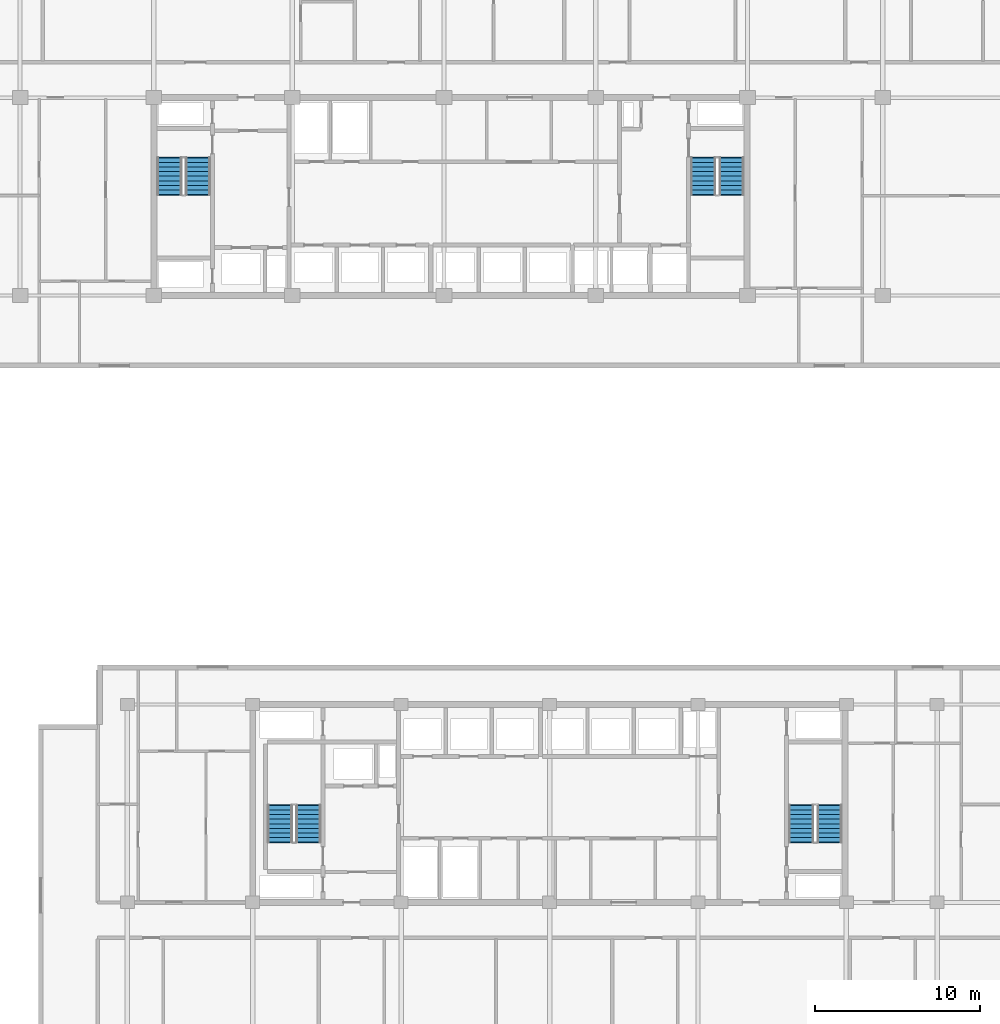
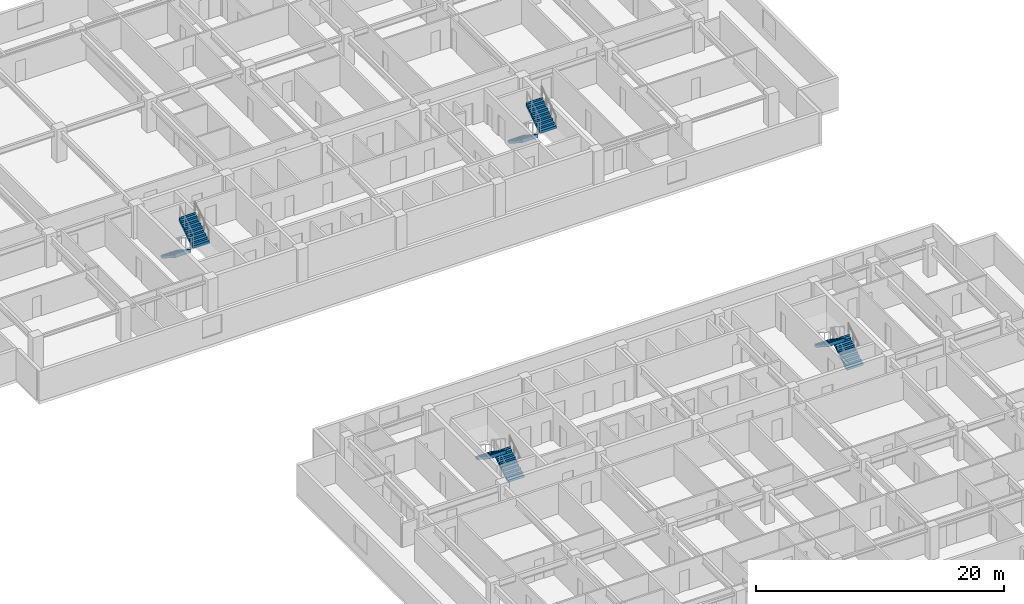
# One storey, part 17 of 22: 8 stair flights, 4 elements without a shape of their own.
"""IFC4 building model written with IfcOpenShell, lengths in metres."""

from ifc_helpers import new_model, si_unit, direction, frame, origin, place, context, subcontext, project, spatial, polyline, outline, extrude, material, type_object, element, aggregate, save


model = new_model("IFC4")

# Units and contexts
model_context = context("Model", 3, precision=1e-05, world=origin(), true_north=direction((0.0, 1.0)))
body_context = subcontext(model_context, "Body", "Model", "MODEL_VIEW")
ifc_project = project(units=[si_unit("LENGTHUNIT", "METRE"), si_unit("AREAUNIT", "SQUARE_METRE"), si_unit("VOLUMEUNIT", "CUBIC_METRE"), si_unit("PLANEANGLEUNIT", "RADIAN"), si_unit("MASSUNIT", "GRAM", prefix="KILO")], contexts=[model_context])

# Site, building, storey
site_placement = place(None, origin())
site = spatial("IfcSite", under=ifc_project, at=site_placement, CompositionType="ELEMENT")
building_placement = place(site_placement, origin())
building = spatial("IfcBuilding", under=site, at=building_placement, Name="Korimba Cascade Residences", CompositionType="ELEMENT")
storey_placement = place(building_placement, frame((0.0, 0.0, 87.300048828125)))
storey = spatial("IfcBuildingStorey", under=building, at=storey_placement, Name="L24", CompositionType="ELEMENT", Elevation=87.300048828125)

# Stair, stair flights
ifc_material = material(Name="Concrete C50/60", Category="concrete")
stair_type_1 = type_object("IfcStairType", Name="STR-W1-18R-1806", PredefinedType="HALF_TURN_STAIR", material=ifc_material)
stair_1_placement = place(storey_placement, origin())
stair_1 = element("IfcStair", 1, at=stair_1_placement, inside=storey, type_object=stair_type_1, Name="L24 Tower 1 West Fire Stair ST-W1", PredefinedType="HALF_TURN_STAIR")
stair_flight_type = type_object("IfcStairFlightType", Name="STF-DL-18R-1806-1520", PredefinedType="STRAIGHT", material=ifc_material)
stair_flight_1_placement = place(storey_placement, frame((77.06005859375, 63.550048828125, 0.0), z_axis=(0.0, 0.0, 1.0), x_axis=(0.0, -1.0, 0.0)))
stair_flight_1 = element("IfcStairFlight", 2, at=stair_flight_1_placement, type_object=stair_flight_type, Name="ST-W1 flight 1", NumberOfRisers=9, NumberOfTreads=8, PredefinedType="STRAIGHT", RiserHeight=0.180555556, TreadLength=0.28, context=body_context, shape_type="SweptSolid", body=[
    extrude(outline(polyline([(-0.0380859375, 0.0), (0.0, 0.1806640625), (0.280029296875, 0.1806640625), (0.280029296875, 0.361083984375), (0.56005859375, 0.361083984375), (0.56005859375, 0.541748046875), (0.840087890625, 0.541748046875), (0.840087890625, 0.72216796875), (1.1201171875, 0.72216796875), (1.1201171875, 0.90283203125), (1.39990234375, 0.90283203125), (1.39990234375, 1.083251953125), (1.679931640625, 1.083251953125), (1.679931640625, 1.263916015625), (1.9599609375, 1.263916015625), (1.9599609375, 1.4443359375), (2.239990234375, 1.4443359375), (2.239990234375, 1.625), (2.278076171875, 1.625), (2.278076171875, 1.26611328125), (0.276611328125, 0.0), (0.276611328125, -0.0380859375), (-0.0380859375, -0.0380859375), (-0.0380859375, 0.0)])), frame((0.0, 0.760009765625, 0.0), z_axis=(0.0, -1.0, 0.0), x_axis=(1.0, 0.0, 0.0)), (0.0, 0.0, 1.0), 1.52001953125),
])
stair_flight_2_placement = place(storey_placement, frame((78.780029296875, 61.31005859375, 1.625), z_axis=(0.0, 0.0, 1.0), x_axis=(0.0, 1.0, 0.0)))
stair_flight_2 = element("IfcStairFlight", 3, at=stair_flight_2_placement, type_object=stair_flight_type, Name="ST-W1 flight 2", NumberOfRisers=9, NumberOfTreads=8, PredefinedType="STRAIGHT", RiserHeight=0.180555556, TreadLength=0.28, context=body_context, shape_type="SweptSolid", body=[
    extrude(outline(polyline([(-0.0380859375, 0.0), (0.0, 0.1806640625), (0.280029296875, 0.1806640625), (0.280029296875, 0.361083984375), (0.56005859375, 0.361083984375), (0.56005859375, 0.541748046875), (0.840087890625, 0.541748046875), (0.840087890625, 0.72216796875), (1.1201171875, 0.72216796875), (1.1201171875, 0.90283203125), (1.39990234375, 0.90283203125), (1.39990234375, 1.083251953125), (1.679931640625, 1.083251953125), (1.679931640625, 1.263916015625), (1.9599609375, 1.263916015625), (1.9599609375, 1.4443359375), (2.239990234375, 1.4443359375), (2.239990234375, 1.625), (2.278076171875, 1.625), (2.278076171875, 1.26611328125), (0.276611328125, 0.0), (0.276611328125, -0.0380859375), (-0.0380859375, -0.0380859375), (-0.0380859375, 0.0)])), frame((0.0, 0.760009765625, 0.0), z_axis=(0.0, -1.0, 0.0), x_axis=(1.0, 0.0, 0.0)), (0.0, 0.0, 1.0), 1.52001953125),
])
aggregate(stair_1, [stair_flight_1, stair_flight_2])

stair_type_2 = type_object("IfcStairType", Name="STR-W2-18R-1806", PredefinedType="HALF_TURN_STAIR", material=ifc_material)
stair_2_placement = place(storey_placement, origin())
stair_2 = element("IfcStair", 4, at=stair_2_placement, inside=storey, type_object=stair_type_2, Name="L24 Tower 1 East Fire Stair ST-W2", PredefinedType="HALF_TURN_STAIR")
stair_flight_3_placement = place(storey_placement, frame((109.419921875, 63.550048828125, 0.0), z_axis=(0.0, 0.0, 1.0), x_axis=(0.0, -1.0, 0.0)))
stair_flight_3 = element("IfcStairFlight", 5, at=stair_flight_3_placement, type_object=stair_flight_type, Name="ST-W2 flight 1", NumberOfRisers=9, NumberOfTreads=8, PredefinedType="STRAIGHT", RiserHeight=0.180555556, TreadLength=0.28, context=body_context, shape_type="SweptSolid", body=[
    extrude(outline(polyline([(-0.0380859375, 0.0), (0.0, 0.1806640625), (0.280029296875, 0.1806640625), (0.280029296875, 0.361083984375), (0.56005859375, 0.361083984375), (0.56005859375, 0.541748046875), (0.840087890625, 0.541748046875), (0.840087890625, 0.72216796875), (1.1201171875, 0.72216796875), (1.1201171875, 0.90283203125), (1.39990234375, 0.90283203125), (1.39990234375, 1.083251953125), (1.679931640625, 1.083251953125), (1.679931640625, 1.263916015625), (1.9599609375, 1.263916015625), (1.9599609375, 1.4443359375), (2.239990234375, 1.4443359375), (2.239990234375, 1.625), (2.278076171875, 1.625), (2.278076171875, 1.26611328125), (0.276611328125, 0.0), (0.276611328125, -0.0380859375), (-0.0380859375, -0.0380859375), (-0.0380859375, 0.0)])), frame((0.0, 0.760009765625, 0.0), z_axis=(0.0, -1.0, 0.0), x_axis=(1.0, 0.0, 0.0)), (0.0, 0.0, 1.0), 1.52001953125),
])
stair_flight_4_placement = place(storey_placement, frame((111.139892578125, 61.31005859375, 1.625), z_axis=(0.0, 0.0, 1.0), x_axis=(0.0, 1.0, 0.0)))
stair_flight_4 = element("IfcStairFlight", 6, at=stair_flight_4_placement, type_object=stair_flight_type, Name="ST-W2 flight 2", NumberOfRisers=9, NumberOfTreads=8, PredefinedType="STRAIGHT", RiserHeight=0.180555556, TreadLength=0.28, context=body_context, shape_type="SweptSolid", body=[
    extrude(outline(polyline([(-0.0380859375, 0.0), (0.0, 0.1806640625), (0.280029296875, 0.1806640625), (0.280029296875, 0.361083984375), (0.56005859375, 0.361083984375), (0.56005859375, 0.541748046875), (0.840087890625, 0.541748046875), (0.840087890625, 0.72216796875), (1.1201171875, 0.72216796875), (1.1201171875, 0.90283203125), (1.39990234375, 0.90283203125), (1.39990234375, 1.083251953125), (1.679931640625, 1.083251953125), (1.679931640625, 1.263916015625), (1.9599609375, 1.263916015625), (1.9599609375, 1.4443359375), (2.239990234375, 1.4443359375), (2.239990234375, 1.625), (2.278076171875, 1.625), (2.278076171875, 1.26611328125), (0.276611328125, 0.0), (0.276611328125, -0.0380859375), (-0.0380859375, -0.0380859375), (-0.0380859375, 0.0)])), frame((0.0, 0.760009765625, 0.0), z_axis=(0.0, -1.0, 0.0), x_axis=(1.0, 0.0, 0.0)), (0.0, 0.0, 1.0), 1.52001953125),
])
aggregate(stair_2, [stair_flight_3, stair_flight_4])

stair_type_3 = type_object("IfcStairType", Name="STR-E1-18R-1806", PredefinedType="HALF_TURN_STAIR", material=ifc_material)
stair_3_placement = place(storey_placement, origin())
stair_3 = element("IfcStair", 7, at=stair_3_placement, inside=storey, type_object=stair_type_3, Name="L24 Tower 2 West Fire Stair ST-E1", PredefinedType="HALF_TURN_STAIR")
stair_flight_5_placement = place(storey_placement, frame((85.47998046875, 22.050048828125, 0.0), z_axis=(0.0, 0.0, 1.0), x_axis=(0.0, 1.0, 0.0)))
stair_flight_5 = element("IfcStairFlight", 8, at=stair_flight_5_placement, type_object=stair_flight_type, Name="ST-E1 flight 1", NumberOfRisers=9, NumberOfTreads=8, PredefinedType="STRAIGHT", RiserHeight=0.180555556, TreadLength=0.28, context=body_context, shape_type="SweptSolid", body=[
    extrude(outline(polyline([(-0.0380859375, 0.0), (0.0, 0.1806640625), (0.280029296875, 0.1806640625), (0.280029296875, 0.361083984375), (0.56005859375, 0.361083984375), (0.56005859375, 0.541748046875), (0.840087890625, 0.541748046875), (0.840087890625, 0.72216796875), (1.1201171875, 0.72216796875), (1.1201171875, 0.90283203125), (1.39990234375, 0.90283203125), (1.39990234375, 1.083251953125), (1.679931640625, 1.083251953125), (1.679931640625, 1.263916015625), (1.9599609375, 1.263916015625), (1.9599609375, 1.4443359375), (2.239990234375, 1.4443359375), (2.239990234375, 1.625), (2.278076171875, 1.625), (2.278076171875, 1.26611328125), (0.276611328125, 0.0), (0.276611328125, -0.0380859375), (-0.0380859375, -0.0380859375), (-0.0380859375, 0.0)])), frame((0.0, 0.760009765625, 0.0), z_axis=(0.0, -1.0, 0.0), x_axis=(1.0, 0.0, 0.0)), (0.0, 0.0, 1.0), 1.52001953125),
])
stair_flight_6_placement = place(storey_placement, frame((83.760009765625, 24.2900390625, 1.625), z_axis=(0.0, 0.0, 1.0), x_axis=(0.0, -1.0, 0.0)))
stair_flight_6 = element("IfcStairFlight", 9, at=stair_flight_6_placement, type_object=stair_flight_type, Name="ST-E1 flight 2", NumberOfRisers=9, NumberOfTreads=8, PredefinedType="STRAIGHT", RiserHeight=0.180555556, TreadLength=0.28, context=body_context, shape_type="SweptSolid", body=[
    extrude(outline(polyline([(-0.0380859375, 0.0), (0.0, 0.1806640625), (0.280029296875, 0.1806640625), (0.280029296875, 0.361083984375), (0.56005859375, 0.361083984375), (0.56005859375, 0.541748046875), (0.840087890625, 0.541748046875), (0.840087890625, 0.72216796875), (1.1201171875, 0.72216796875), (1.1201171875, 0.90283203125), (1.39990234375, 0.90283203125), (1.39990234375, 1.083251953125), (1.679931640625, 1.083251953125), (1.679931640625, 1.263916015625), (1.9599609375, 1.263916015625), (1.9599609375, 1.4443359375), (2.239990234375, 1.4443359375), (2.239990234375, 1.625), (2.278076171875, 1.625), (2.278076171875, 1.26611328125), (0.276611328125, 0.0), (0.276611328125, -0.0380859375), (-0.0380859375, -0.0380859375), (-0.0380859375, 0.0)])), frame((0.0, 0.760009765625, 0.0), z_axis=(0.0, -1.0, 0.0), x_axis=(1.0, 0.0, 0.0)), (0.0, 0.0, 1.0), 1.52001953125),
])
aggregate(stair_3, [stair_flight_5, stair_flight_6])

stair_type_4 = type_object("IfcStairType", Name="STR-E2-18R-1806", PredefinedType="HALF_TURN_STAIR", material=ifc_material)
stair_4_placement = place(storey_placement, origin())
stair_4 = element("IfcStair", 10, at=stair_4_placement, inside=storey, type_object=stair_type_4, Name="L24 Tower 2 East Fire Stair ST-E2", PredefinedType="HALF_TURN_STAIR")
stair_flight_7_placement = place(storey_placement, frame((117.080078125, 22.050048828125, 0.0), z_axis=(0.0, 0.0, 1.0), x_axis=(0.0, 1.0, 0.0)))
stair_flight_7 = element("IfcStairFlight", 11, at=stair_flight_7_placement, type_object=stair_flight_type, Name="ST-E2 flight 1", NumberOfRisers=9, NumberOfTreads=8, PredefinedType="STRAIGHT", RiserHeight=0.180555556, TreadLength=0.28, context=body_context, shape_type="SweptSolid", body=[
    extrude(outline(polyline([(-0.0380859375, 0.0), (0.0, 0.1806640625), (0.280029296875, 0.1806640625), (0.280029296875, 0.361083984375), (0.56005859375, 0.361083984375), (0.56005859375, 0.541748046875), (0.840087890625, 0.541748046875), (0.840087890625, 0.72216796875), (1.1201171875, 0.72216796875), (1.1201171875, 0.90283203125), (1.39990234375, 0.90283203125), (1.39990234375, 1.083251953125), (1.679931640625, 1.083251953125), (1.679931640625, 1.263916015625), (1.9599609375, 1.263916015625), (1.9599609375, 1.4443359375), (2.239990234375, 1.4443359375), (2.239990234375, 1.625), (2.278076171875, 1.625), (2.278076171875, 1.26611328125), (0.276611328125, 0.0), (0.276611328125, -0.0380859375), (-0.0380859375, -0.0380859375), (-0.0380859375, 0.0)])), frame((0.0, 0.760009765625, 0.0), z_axis=(0.0, -1.0, 0.0), x_axis=(1.0, 0.0, 0.0)), (0.0, 0.0, 1.0), 1.52001953125),
])
stair_flight_8_placement = place(storey_placement, frame((115.360107421875, 24.2900390625, 1.625), z_axis=(0.0, 0.0, 1.0), x_axis=(0.0, -1.0, 0.0)))
stair_flight_8 = element("IfcStairFlight", 12, at=stair_flight_8_placement, type_object=stair_flight_type, Name="ST-E2 flight 2", NumberOfRisers=9, NumberOfTreads=8, PredefinedType="STRAIGHT", RiserHeight=0.180555556, TreadLength=0.28, context=body_context, shape_type="SweptSolid", body=[
    extrude(outline(polyline([(-0.0380859375, 0.0), (0.0, 0.1806640625), (0.280029296875, 0.1806640625), (0.280029296875, 0.361083984375), (0.56005859375, 0.361083984375), (0.56005859375, 0.541748046875), (0.840087890625, 0.541748046875), (0.840087890625, 0.72216796875), (1.1201171875, 0.72216796875), (1.1201171875, 0.90283203125), (1.39990234375, 0.90283203125), (1.39990234375, 1.083251953125), (1.679931640625, 1.083251953125), (1.679931640625, 1.263916015625), (1.9599609375, 1.263916015625), (1.9599609375, 1.4443359375), (2.239990234375, 1.4443359375), (2.239990234375, 1.625), (2.278076171875, 1.625), (2.278076171875, 1.26611328125), (0.276611328125, 0.0), (0.276611328125, -0.0380859375), (-0.0380859375, -0.0380859375), (-0.0380859375, 0.0)])), frame((0.0, 0.760009765625, 0.0), z_axis=(0.0, -1.0, 0.0), x_axis=(1.0, 0.0, 0.0)), (0.0, 0.0, 1.0), 1.52001953125),
])
aggregate(stair_4, [stair_flight_7, stair_flight_8])

save(model, "model.ifc")
